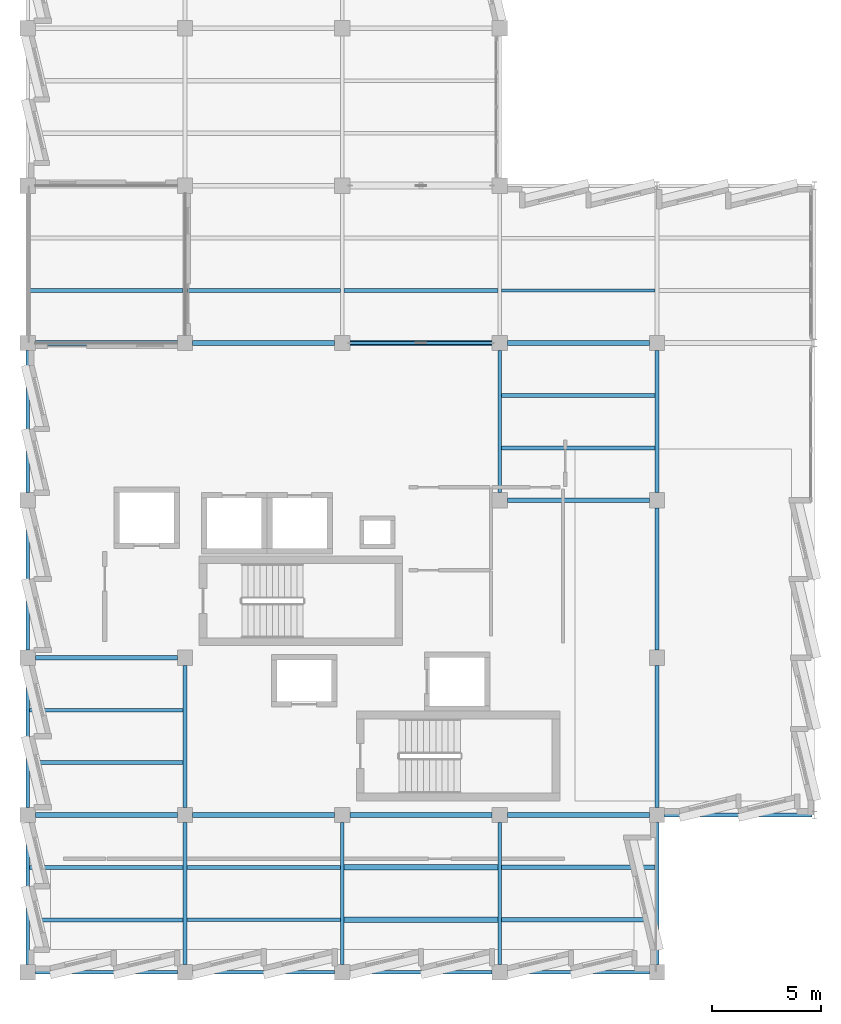
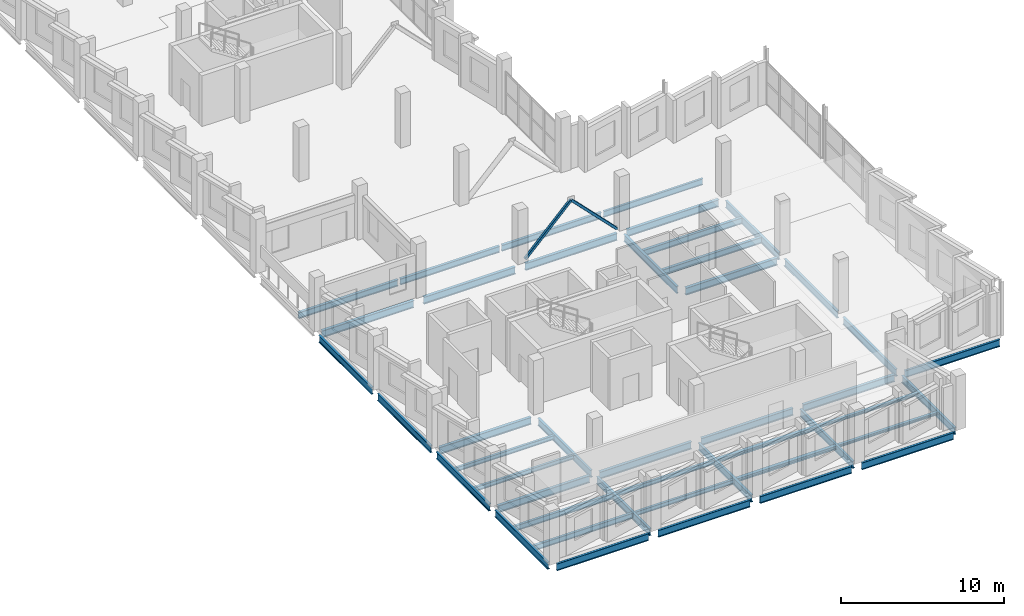
# One storey, part 7 of 33: 44 beams, 2 members.
"""IFC4 building model written with IfcOpenShell, lengths in metres."""

from ifc_helpers import new_model, si_unit, direction, frame, origin, origin_2d, place, context, subcontext, project, spatial, hollow_rectangle, i_section, extrude, material, material_profile, profile_set, type_object, element, save


model = new_model("IFC4")

# Units and contexts
model_context = context("Model", 3, precision=1e-05, world=origin(), true_north=direction((0.0, 1.0)))
body_context = subcontext(model_context, "Body", "Model", "MODEL_VIEW")
ifc_project = project(units=[si_unit("LENGTHUNIT", "METRE"), si_unit("AREAUNIT", "SQUARE_METRE"), si_unit("VOLUMEUNIT", "CUBIC_METRE"), si_unit("PLANEANGLEUNIT", "RADIAN"), si_unit("MASSUNIT", "GRAM", prefix="KILO")], contexts=[model_context])

# Site, building, storey
site_placement = place(None, origin())
site = spatial("IfcSite", under=ifc_project, at=site_placement, CompositionType="ELEMENT")
building_placement = place(site_placement, origin())
building = spatial("IfcBuilding", under=site, at=building_placement, Name="Kalmorath City Hall", CompositionType="ELEMENT")
storey_placement = place(building_placement, frame((0.0, 0.0, 22.949951171875)))
storey = spatial("IfcBuildingStorey", under=building, at=storey_placement, Name="L05", CompositionType="ELEMENT", Elevation=22.949951171875)

# Beams
ifc_material_1 = material(Name="Steel ASTM A992 Grade 50", Category="steel")
ifc_material_profile_1 = material_profile(ifc_material_1, i_section(OverallWidth=0.177001953125, OverallDepth=0.403076171875, WebThickness=0.007568359375, FlangeThickness=0.010986328125, FilletRadius=0.012939453125, at=origin_2d()), Name="W16X36")
ifc_profile_set_1 = profile_set([ifc_material_profile_1], Name="Steel ASTM A992 Grade 50")
beam_type_1 = type_object("IfcBeamType", Name="Steel composite joist W16X36", PredefinedType="JOIST", material=ifc_profile_set_1)
for number, where, z_axis, x_axis, name in (
    (1, (0.08251953125, 2.39990234375, -0.495361328125), (1.0, 0.0, 0.0), (0.0, 1.0, 0.0), "L05 joist SJ7 1.1.1"),
    (2, (0.08251953125, 4.800048828125, -0.495361328125), (1.0, 0.0, 0.0), (0.0, 1.0, 0.0), "L05 joist SJ7 1.1.2"),
):
    element("IfcBeam", number, at=place(storey_placement, frame(where, z_axis=z_axis, x_axis=x_axis)), inside=storey, type_object=beam_type_1, Name=name, PredefinedType="JOIST", context=body_context, shape_type="SweptSolid", body=[
        extrude(i_section(OverallWidth=0.177001953125, OverallDepth=0.403076171875, WebThickness=0.007568359375, FlangeThickness=0.010986328125, FilletRadius=0.012939453125, at=origin_2d()), origin(), (0.0, 0.0, 1.0), 7.033935546875),
    ])
ifc_material_2 = material(Name="Steel ASTM A992 Grade 50", Category="steel")
ifc_material_profile_2 = material_profile(ifc_material_2, i_section(OverallWidth=0.153076171875, OverallDepth=0.455078125, WebThickness=0.008056640625, FlangeThickness=0.01318359375, FilletRadius=0.013916015625, at=origin_2d()), Name="W18X40")
ifc_profile_set_2 = profile_set([ifc_material_profile_2], Name="Steel ASTM A992 Grade 50")
beam_type_2 = type_object("IfcBeamType", Name="Steel composite joist W18X40", PredefinedType="JOIST", material=ifc_profile_set_2)
beam_1_placement = place(storey_placement, frame((21.68359375, 31.199951171875, -0.521484375), z_axis=(1.0, 0.0, 0.0), x_axis=(0.0, 1.0, 0.0)))
element("IfcBeam", 3, at=beam_1_placement, inside=storey, type_object=beam_type_2, Name="L05 joist SJ4 4.5.1", PredefinedType="JOIST", context=body_context, shape_type="SweptSolid", body=[
    extrude(i_section(OverallWidth=0.153076171875, OverallDepth=0.455078125, WebThickness=0.008056640625, FlangeThickness=0.01318359375, FilletRadius=0.013916015625, at=origin_2d()), origin(), (0.0, 0.0, 1.0), 7.032958984375),
])
ifc_material_3 = material(Name="Steel ASTM A992 Grade 50", Category="steel")
ifc_material_profile_3 = material_profile(ifc_material_3, i_section(OverallWidth=0.19091796875, OverallDepth=0.45703125, WebThickness=0.009033203125, FlangeThickness=0.014404296875, FilletRadius=0.013916015625, at=origin_2d()), Name="W18X50")
ifc_profile_set_3 = profile_set([ifc_material_profile_3], Name="Steel ASTM A992 Grade 50")
beam_type_3 = type_object("IfcBeamType", Name="Steel composite joist W18X50", PredefinedType="JOIST", material=ifc_profile_set_3)
beam_2_placement = place(storey_placement, frame((14.4833984375, 31.199951171875, -0.5224609375), z_axis=(1.0, 0.0, 0.0), x_axis=(0.0, 1.0, 0.0)))
element("IfcBeam", 4, at=beam_2_placement, inside=storey, type_object=beam_type_3, Name="L05 joist SJ3 3.5.1", PredefinedType="JOIST", context=body_context, shape_type="SweptSolid", body=[
    extrude(i_section(OverallWidth=0.19091796875, OverallDepth=0.45703125, WebThickness=0.009033203125, FlangeThickness=0.014404296875, FilletRadius=0.013916015625, at=origin_2d()), origin(), (0.0, 0.0, 1.0), 7.033203125),
])
for number, where, z_axis, x_axis, name in (
    (5, (21.68359375, 24.0, -0.5224609375), (1.0, 0.0, 0.0), (0.0, 1.0, 0.0), "L05 joist SJ3 4.4.1"),
    (6, (21.68359375, 26.39990234375, -0.5224609375), (1.0, 0.0, 0.0), (0.0, 1.0, 0.0), "L05 joist SJ3 4.4.2"),
):
    element("IfcBeam", number, at=place(storey_placement, frame(where, z_axis=z_axis, x_axis=x_axis)), inside=storey, type_object=beam_type_3, Name=name, PredefinedType="JOIST", context=body_context, shape_type="SweptSolid", body=[
        extrude(i_section(OverallWidth=0.19091796875, OverallDepth=0.45703125, WebThickness=0.009033203125, FlangeThickness=0.014404296875, FilletRadius=0.013916015625, at=origin_2d()), origin(), (0.0, 0.0, 1.0), 7.032958984375),
    ])
ifc_material_4 = material(Name="Steel ASTM A992 Grade 50", Category="steel")
ifc_material_profile_4 = material_profile(ifc_material_4, i_section(OverallWidth=0.19091796875, OverallDepth=0.4599609375, WebThickness=0.010009765625, FlangeThickness=0.01611328125, FilletRadius=0.013916015625, at=origin_2d()), Name="W18X55")
ifc_profile_set_4 = profile_set([ifc_material_profile_4], Name="Steel ASTM A992 Grade 50")
beam_type_4 = type_object("IfcBeamType", Name="Steel composite joist W18X55", PredefinedType="JOIST", material=ifc_profile_set_4)
beam_3_placement = place(storey_placement, frame((7.283447265625, 31.199951171875, -0.52392578125), z_axis=(1.0, 0.0, 0.0), x_axis=(0.0, 1.0, 0.0)))
element("IfcBeam", 7, at=beam_3_placement, inside=storey, type_object=beam_type_4, Name="L05 joist SJ2 2.5.1", PredefinedType="JOIST", context=body_context, shape_type="SweptSolid", body=[
    extrude(i_section(OverallWidth=0.19091796875, OverallDepth=0.4599609375, WebThickness=0.010009765625, FlangeThickness=0.01611328125, FilletRadius=0.013916015625, at=origin_2d()), origin(), (0.0, 0.0, 1.0), 7.032958984375),
])
ifc_material_5 = material(Name="Steel ASTM A992 Grade 50", Category="steel")
ifc_material_profile_5 = material_profile(ifc_material_5, i_section(OverallWidth=0.193115234375, OverallDepth=0.466064453125, WebThickness=0.011474609375, FlangeThickness=0.01904296875, FilletRadius=0.013916015625, at=origin_2d()), Name="W18X65")
ifc_profile_set_5 = profile_set([ifc_material_profile_5], Name="Steel ASTM A992 Grade 50")
beam_type_5 = type_object("IfcBeamType", Name="Steel composite joist W18X65", PredefinedType="JOIST", material=ifc_profile_set_5)
beam_4_placement = place(storey_placement, frame((0.08251953125, 31.199951171875, -0.52685546875), z_axis=(1.0, 0.0, 0.0), x_axis=(0.0, 1.0, 0.0)))
element("IfcBeam", 8, at=beam_4_placement, inside=storey, type_object=beam_type_5, Name="L05 joist SJ1 1.5.1", PredefinedType="JOIST", context=body_context, shape_type="SweptSolid", body=[
    extrude(i_section(OverallWidth=0.193115234375, OverallDepth=0.466064453125, WebThickness=0.011474609375, FlangeThickness=0.01904296875, FilletRadius=0.013916015625, at=origin_2d()), origin(), (0.0, 0.0, 1.0), 7.033935546875),
])
ifc_material_6 = material(Name="Steel ASTM A992 Grade 50", Category="steel")
ifc_material_profile_6 = material_profile(ifc_material_6, i_section(OverallWidth=0.202880859375, OverallDepth=0.202880859375, WebThickness=0.007080078125, FlangeThickness=0.010986328125, FilletRadius=0.010986328125, at=origin_2d()), Name="W8X31")
ifc_profile_set_6 = profile_set([ifc_material_profile_6], Name="Steel ASTM A992 Grade 50")
beam_type_6 = type_object("IfcBeamType", Name="Steel edge trimmer W8X31", PredefinedType="LINTEL", material=ifc_profile_set_6)
for number, where, z_axis, x_axis, name in (
    (9, (21.68359375, 2.39990234375, -0.3955078125), (1.0, 0.0, 0.0), (0.0, 1.0, 0.0), "L05 joist SJ16 4.1.1"),
    (10, (21.68359375, 4.800048828125, -0.3955078125), (1.0, 0.0, 0.0), (0.0, 1.0, 0.0), "L05 joist SJ16 4.1.2"),
):
    element("IfcBeam", number, at=place(storey_placement, frame(where, z_axis=z_axis, x_axis=x_axis)), inside=storey, type_object=beam_type_6, Name=name, PredefinedType="LINTEL", context=body_context, shape_type="SweptSolid", body=[
        extrude(i_section(OverallWidth=0.202880859375, OverallDepth=0.202880859375, WebThickness=0.007080078125, FlangeThickness=0.010986328125, FilletRadius=0.010986328125, at=origin_2d()), origin(), (0.0, 0.0, 1.0), 7.033935546875),
    ])
ifc_material_7 = material(Name="Steel ASTM A992 Grade 50", Category="steel")
ifc_material_profile_7 = material_profile(ifc_material_7, i_section(OverallWidth=0.1669921875, OverallDepth=0.534912109375, WebThickness=0.01025390625, FlangeThickness=0.0166015625, FilletRadius=0.014892578125, at=origin_2d()), Name="W21X57")
ifc_profile_set_7 = profile_set([ifc_material_profile_7], Name="Steel ASTM A992 Grade 50")
beam_type_7 = type_object("IfcBeamType", Name="Steel floor beam W21X57", PredefinedType="BEAM", material=ifc_profile_set_7)
for number, where, z_axis, x_axis, name in (
    (11, (7.199951171875, 0.35009765625, -0.5615234375), (0.0, 1.0, 0.0), (-1.0, 0.0, 0.0), "L05 girder SB3 Y2/1-2"),
    (12, (7.199951171875, 7.550048828125, -0.5615234375), (0.0, 1.0, 0.0), (-1.0, 0.0, 0.0), "L05 girder SB3 Y2/2-3"),
    (13, (14.39990234375, 0.35009765625, -0.5615234375), (0.0, 1.0, 0.0), (-1.0, 0.0, 0.0), "L05 girder SB3 Y3/1-2"),
    (14, (21.60009765625, 0.35009765625, -0.5615234375), (0.0, 1.0, 0.0), (-1.0, 0.0, 0.0), "L05 girder SB3 Y4/1-2"),
    (15, (21.60009765625, 21.949951171875, -0.5615234375), (0.0, 1.0, 0.0), (-1.0, 0.0, 0.0), "L05 girder SB3 Y4/4-5"),
    (16, (28.800048828125, 7.550048828125, -0.5615234375), (0.0, 1.0, 0.0), (-1.0, 0.0, 0.0), "L05 girder SB3 Y5/2-3"),
    (17, (28.800048828125, 14.75, -0.5615234375), (0.0, 1.0, 0.0), (-1.0, 0.0, 0.0), "L05 girder SB3 Y5/3-4"),
    (18, (28.800048828125, 21.949951171875, -0.5615234375), (0.0, 1.0, 0.0), (-1.0, 0.0, 0.0), "L05 girder SB3 Y5/4-5"),
):
    element("IfcBeam", number, at=place(storey_placement, frame(where, z_axis=z_axis, x_axis=x_axis)), inside=storey, type_object=beam_type_7, Name=name, PredefinedType="BEAM", context=body_context, shape_type="SweptSolid", body=[
        extrude(i_section(OverallWidth=0.1669921875, OverallDepth=0.534912109375, WebThickness=0.01025390625, FlangeThickness=0.0166015625, FilletRadius=0.014892578125, at=origin_2d()), origin(), (0.0, 0.0, 1.0), 6.5),
    ])
ifc_material_8 = material(Name="Steel ASTM A992 Grade 50", Category="steel")
ifc_material_profile_8 = material_profile(ifc_material_8, i_section(OverallWidth=0.208984375, OverallDepth=0.532958984375, WebThickness=0.01025390625, FlangeThickness=0.015625, FilletRadius=0.014892578125, at=origin_2d()), Name="W21X62")
ifc_profile_set_8 = profile_set([ifc_material_profile_8], Name="Steel ASTM A992 Grade 50")
beam_type_8 = type_object("IfcBeamType", Name="Steel floor beam W21X62", PredefinedType="BEAM", material=ifc_profile_set_8)
for number, where, z_axis, x_axis, name in (
    (19, (0.35009765625, 7.199951171875, -0.560546875), (1.0, 0.0, 0.0), (0.0, 1.0, 0.0), "L05 girder SB2 X1-2/2"),
    (20, (7.550048828125, 7.199951171875, -0.560546875), (1.0, 0.0, 0.0), (0.0, 1.0, 0.0), "L05 girder SB2 X2-3/2"),
    (21, (14.75, 7.199951171875, -0.560546875), (1.0, 0.0, 0.0), (0.0, 1.0, 0.0), "L05 girder SB2 X3-4/2"),
    (22, (21.949951171875, 7.199951171875, -0.560546875), (1.0, 0.0, 0.0), (0.0, 1.0, 0.0), "L05 girder SB2 X4-5/2"),
    (23, (0.35009765625, 14.39990234375, -0.560546875), (1.0, 0.0, 0.0), (0.0, 1.0, 0.0), "L05 girder SB2 X1-2/3"),
    (24, (21.949951171875, 21.60009765625, -0.560546875), (1.0, 0.0, 0.0), (0.0, 1.0, 0.0), "L05 girder SB2 X4-5/4"),
    (25, (0.35009765625, 28.800048828125, -0.560546875), (1.0, 0.0, 0.0), (0.0, 1.0, 0.0), "L05 girder SB2 X1-2/5"),
    (26, (7.550048828125, 28.800048828125, -0.560546875), (1.0, 0.0, 0.0), (0.0, 1.0, 0.0), "L05 girder SB2 X2-3/5"),
    (27, (14.75, 28.800048828125, -0.560546875), (1.0, 0.0, 0.0), (0.0, 1.0, 0.0), "L05 girder SB2 X3-4/5"),
    (28, (21.949951171875, 28.800048828125, -0.560546875), (1.0, 0.0, 0.0), (0.0, 1.0, 0.0), "L05 girder SB2 X4-5/5"),
):
    element("IfcBeam", number, at=place(storey_placement, frame(where, z_axis=z_axis, x_axis=x_axis)), inside=storey, type_object=beam_type_8, Name=name, PredefinedType="BEAM", context=body_context, shape_type="SweptSolid", body=[
        extrude(i_section(OverallWidth=0.208984375, OverallDepth=0.532958984375, WebThickness=0.01025390625, FlangeThickness=0.015625, FilletRadius=0.014892578125, at=origin_2d()), origin(), (0.0, 0.0, 1.0), 6.5),
    ])
ifc_material_9 = material(Name="Steel ASTM A992 Grade 50", Category="steel")
ifc_material_profile_9 = material_profile(ifc_material_9, i_section(OverallWidth=0.1669921875, OverallDepth=0.318115234375, WebThickness=0.007568359375, FlangeThickness=0.01318359375, FilletRadius=0.012939453125, at=origin_2d()), Name="W12X35")
ifc_profile_set_9 = profile_set([ifc_material_profile_9], Name="Steel ASTM A992 Grade 50")
beam_type_9 = type_object("IfcBeamType", Name="Steel header lintel W12X35", PredefinedType="LINTEL", material=ifc_profile_set_9)
for number, where, z_axis, x_axis, name in (
    (29, (0.08251953125, 9.60009765625, -0.452880859375), (1.0, 0.0, 0.0), (0.0, 1.0, 0.0), "L05 joist SJ13 1.2.1"),
    (30, (0.08251953125, 12.0, -0.452880859375), (1.0, 0.0, 0.0), (0.0, 1.0, 0.0), "L05 joist SJ13 1.2.2"),
):
    element("IfcBeam", number, at=place(storey_placement, frame(where, z_axis=z_axis, x_axis=x_axis)), inside=storey, type_object=beam_type_9, Name=name, PredefinedType="LINTEL", context=body_context, shape_type="SweptSolid", body=[
        extrude(i_section(OverallWidth=0.1669921875, OverallDepth=0.318115234375, WebThickness=0.007568359375, FlangeThickness=0.01318359375, FilletRadius=0.012939453125, at=origin_2d()), origin(), (0.0, 0.0, 1.0), 7.033935546875),
    ])
for number, where, z_axis, x_axis, name in (
    (31, (7.283447265625, 2.39990234375, -0.452880859375), (1.0, 0.0, 0.0), (0.0, 1.0, 0.0), "L05 joist SJ13 2.1.1"),
    (32, (7.283447265625, 4.800048828125, -0.452880859375), (1.0, 0.0, 0.0), (0.0, 1.0, 0.0), "L05 joist SJ13 2.1.2"),
):
    element("IfcBeam", number, at=place(storey_placement, frame(where, z_axis=z_axis, x_axis=x_axis)), inside=storey, type_object=beam_type_9, Name=name, PredefinedType="LINTEL", context=body_context, shape_type="SweptSolid", body=[
        extrude(i_section(OverallWidth=0.1669921875, OverallDepth=0.318115234375, WebThickness=0.007568359375, FlangeThickness=0.01318359375, FilletRadius=0.012939453125, at=origin_2d()), origin(), (0.0, 0.0, 1.0), 7.032958984375),
    ])

# Members
ifc_material_10 = material(Name="Steel ASTM A500 Grade C", Category="steel")
ifc_material_profile_10 = material_profile(ifc_material_10, hollow_rectangle(XDim=0.177978515625, YDim=0.177978515625, WallThickness=0.0087890625, InnerFilletRadius=0.0087890625, OuterFilletRadius=0.017822265625, at=origin_2d()), Name="HSS178X178X9.5")
ifc_profile_set_10 = profile_set([ifc_material_profile_10], Name="Steel ASTM A500 Grade C")
member_type = type_object("IfcMemberType", Name="Steel seismic brace HSS178X178X9.5", PredefinedType="BRACE", material=ifc_profile_set_10)
for number, where, z_axis, x_axis, name in (
    (33, (14.75, 28.800048828125, 0.0), (0.701683305053, 0.0, 0.71248897494), (0.0, 1.0, 0.0), "L05 chevron brace BR3 1A"),
    (34, (21.25, 28.800048828125, 0.0), (-0.701683305053, 0.0, 0.71248897494), (0.0, -1.0, 0.0), "L05 chevron brace BR3 1B"),
):
    element("IfcMember", number, at=place(storey_placement, frame(where, z_axis=z_axis, x_axis=x_axis)), inside=storey, type_object=member_type, Name=name, PredefinedType="BRACE", context=body_context, shape_type="SweptSolid", body=[
        extrude(hollow_rectangle(XDim=0.177978515625, YDim=0.177978515625, WallThickness=0.0087890625, InnerFilletRadius=0.0087890625, OuterFilletRadius=0.017822265625, at=origin_2d()), origin(), (0.0, 0.0, 1.0), 4.6318359375),
    ])

# Beams
ifc_material_11 = material(Name="Steel ASTM A992 Grade 50", Category="steel")
ifc_material_profile_11 = material_profile(ifc_material_11, i_section(OverallWidth=0.1650390625, OverallDepth=0.52490234375, WebThickness=0.0087890625, FlangeThickness=0.011474609375, FilletRadius=0.014892578125, at=origin_2d()), Name="W21X44")
ifc_profile_set_11 = profile_set([ifc_material_profile_11], Name="Steel ASTM A992 Grade 50")
beam_type_10 = type_object("IfcBeamType", Name="Steel spandrel beam W21X44", PredefinedType="SPANDREL", material=ifc_profile_set_11)
for number, where, z_axis, x_axis, name in (
    (35, (0.35009765625, 0.0, -0.556396484375), (1.0, 0.0, 0.0), (0.0, 1.0, 0.0), "L05 girder SB4 X1-2/1"),
    (36, (7.550048828125, 0.0, -0.556396484375), (1.0, 0.0, 0.0), (0.0, 1.0, 0.0), "L05 girder SB4 X2-3/1"),
    (37, (14.75, 0.0, -0.556396484375), (1.0, 0.0, 0.0), (0.0, 1.0, 0.0), "L05 girder SB4 X3-4/1"),
    (38, (21.949951171875, 0.0, -0.556396484375), (1.0, 0.0, 0.0), (0.0, 1.0, 0.0), "L05 girder SB4 X4-5/1"),
):
    element("IfcBeam", number, at=place(storey_placement, frame(where, z_axis=z_axis, x_axis=x_axis)), inside=storey, type_object=beam_type_10, Name=name, PredefinedType="SPANDREL", context=body_context, shape_type="SweptSolid", body=[
        extrude(i_section(OverallWidth=0.1650390625, OverallDepth=0.52490234375, WebThickness=0.0087890625, FlangeThickness=0.011474609375, FilletRadius=0.014892578125, at=origin_2d()), origin(), (0.0, 0.0, 1.0), 6.5),
    ])
beam_5_placement = place(storey_placement, frame((29.14990234375, 7.199951171875, -0.556396484375), z_axis=(1.0, 0.0, 0.0), x_axis=(0.0, 1.0, 0.0)))
element("IfcBeam", 39, at=beam_5_placement, inside=storey, type_object=beam_type_10, Name="L05 girder SB4 X5-6/2", PredefinedType="SPANDREL", context=body_context, shape_type="SweptSolid", body=[
    extrude(i_section(OverallWidth=0.1650390625, OverallDepth=0.52490234375, WebThickness=0.0087890625, FlangeThickness=0.011474609375, FilletRadius=0.014892578125, at=origin_2d()), origin(), (0.0, 0.0, 1.0), 6.748046875),
])
for number, where, z_axis, x_axis, name in (
    (40, (0.0, 0.35009765625, -0.556396484375), (0.0, 1.0, 0.0), (-1.0, 0.0, 0.0), "L05 girder SB4 Y1/1-2"),
    (41, (0.0, 7.550048828125, -0.556396484375), (0.0, 1.0, 0.0), (-1.0, 0.0, 0.0), "L05 girder SB4 Y1/2-3"),
    (42, (0.0, 14.75, -0.556396484375), (0.0, 1.0, 0.0), (-1.0, 0.0, 0.0), "L05 girder SB4 Y1/3-4"),
    (43, (0.0, 21.949951171875, -0.556396484375), (0.0, 1.0, 0.0), (-1.0, 0.0, 0.0), "L05 girder SB4 Y1/4-5"),
    (44, (28.800048828125, 0.35009765625, -0.556396484375), (0.0, 1.0, 0.0), (-1.0, 0.0, 0.0), "L05 girder SB4 Y5/1-2"),
):
    element("IfcBeam", number, at=place(storey_placement, frame(where, z_axis=z_axis, x_axis=x_axis)), inside=storey, type_object=beam_type_10, Name=name, PredefinedType="SPANDREL", context=body_context, shape_type="SweptSolid", body=[
        extrude(i_section(OverallWidth=0.1650390625, OverallDepth=0.52490234375, WebThickness=0.0087890625, FlangeThickness=0.011474609375, FilletRadius=0.014892578125, at=origin_2d()), origin(), (0.0, 0.0, 1.0), 6.5),
    ])
ifc_material_12 = material(Name="Steel ASTM A992 Grade 50", Category="steel")
ifc_material_profile_12 = material_profile(ifc_material_12, i_section(OverallWidth=0.25390625, OverallDepth=0.2529296875, WebThickness=0.008544921875, FlangeThickness=0.01416015625, FilletRadius=0.011962890625, at=origin_2d()), Name="W10X49")
ifc_profile_set_12 = profile_set([ifc_material_profile_12], Name="Steel ASTM A992 Grade 50")
beam_type_11 = type_object("IfcBeamType", Name="Steel trimmer beam W10X49", PredefinedType="BEAM", material=ifc_profile_set_12)
for number, where, z_axis, x_axis, name in (
    (45, (14.4833984375, 2.39990234375, -0.42041015625), (1.0, 0.0, 0.0), (0.0, 1.0, 0.0), "L05 joist SJ14 3.1.1"),
    (46, (14.4833984375, 4.800048828125, -0.42041015625), (1.0, 0.0, 0.0), (0.0, 1.0, 0.0), "L05 joist SJ14 3.1.2"),
):
    element("IfcBeam", number, at=place(storey_placement, frame(where, z_axis=z_axis, x_axis=x_axis)), inside=storey, type_object=beam_type_11, Name=name, PredefinedType="BEAM", context=body_context, shape_type="SweptSolid", body=[
        extrude(i_section(OverallWidth=0.25390625, OverallDepth=0.2529296875, WebThickness=0.008544921875, FlangeThickness=0.01416015625, FilletRadius=0.011962890625, at=origin_2d()), origin(), (0.0, 0.0, 1.0), 7.033203125),
    ])

save(model, "model.ifc")
